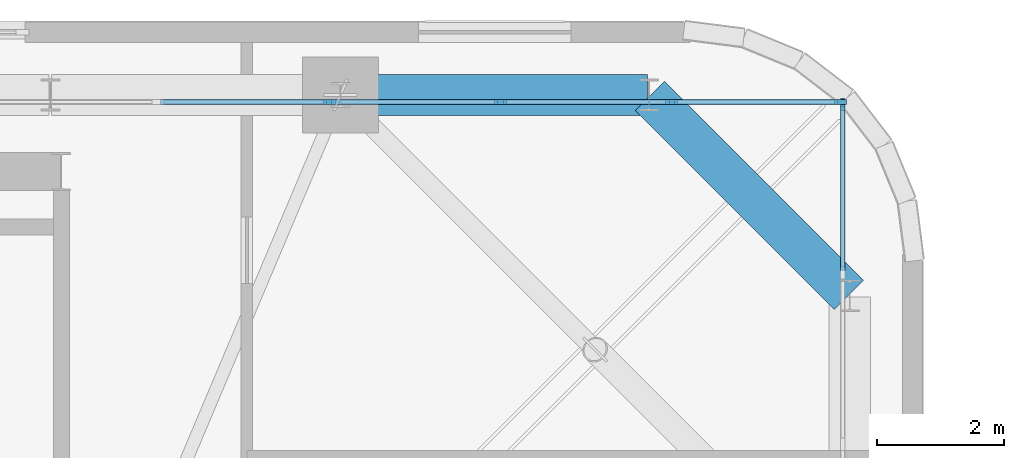
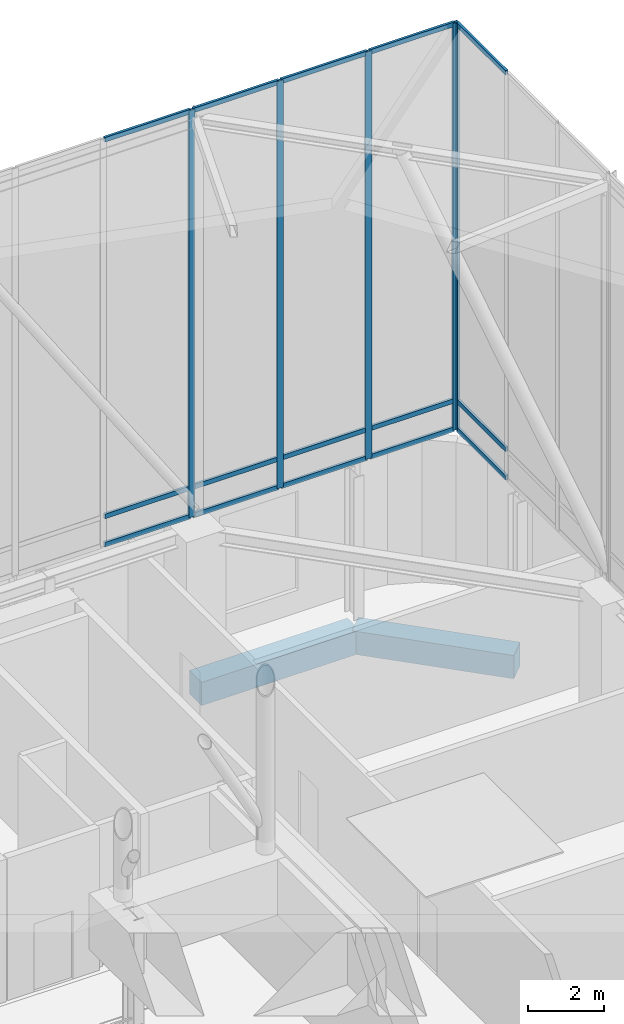
# One storey, part 8 of 15: 20 members, 2 beams, 2 elements without a shape of their own.
"""IFC4 building model written with IfcOpenShell, lengths in metres."""

from ifc_helpers import new_model, si_unit, direction, frame, origin, origin_2d, place, context, subcontext, project, spatial, rectangle, extrude, source, transform, mapped, material, material_profile, profile_set, type_object, element, aggregate, save


model = new_model("IFC4")

# Units and contexts
model_context = context("Model", 3, precision=1e-05, world=origin(), true_north=direction((0.0, 1.0)))
body_context = subcontext(model_context, "Body", "Model", "MODEL_VIEW")
ifc_project = project(units=[si_unit("LENGTHUNIT", "METRE"), si_unit("AREAUNIT", "SQUARE_METRE"), si_unit("VOLUMEUNIT", "CUBIC_METRE"), si_unit("PLANEANGLEUNIT", "RADIAN"), si_unit("MASSUNIT", "GRAM", prefix="KILO")], contexts=[model_context])

# Site, building, storey
site_placement = place(None, origin())
site = spatial("IfcSite", under=ifc_project, at=site_placement, CompositionType="ELEMENT")
building_placement = place(site_placement, origin())
building = spatial("IfcBuilding", under=site, at=building_placement, Name="Vardaveli Station Tower", CompositionType="ELEMENT")
storey_placement = place(building_placement, frame((0.0, 0.0, 301.14990234375)))
storey = spatial("IfcBuildingStorey", under=building, at=storey_placement, Name="L76", CompositionType="ELEMENT", Elevation=301.14990234375)

# Beams
ifc_material_1 = material(Name="Precast concrete C45/55", Category="concrete")
ifc_material_profile_1 = material_profile(ifc_material_1, rectangle(XDim=0.64990234375, YDim=0.75, at=origin_2d()), Name="LPB 650x750")
ifc_profile_set_1 = profile_set([ifc_material_profile_1], Name="Precast concrete C45/55")
beam_type = type_object("IfcBeamType", Name="BM-LPB-750", PredefinedType="BEAM", material=ifc_profile_set_1)
shared_shape_1 = source(origin(), body_context, "Body", "SweptSolid", [
    extrude(rectangle(XDim=0.64990234375, YDim=0.75, at=origin_2d()), origin(), (0.0, 0.0, 1.0), 4.8271484375),
])
beam_1_placement = place(storey_placement, frame((56.623046875, 41.510009765625, -0.6748046875), z_axis=(-1.0, 0.0, 0.0), x_axis=(0.0, -1.0, 0.0)))
element("IfcBeam", 1, at=beam_1_placement, inside=storey, type_object=beam_type, Name="RBM-L76-12", PredefinedType="BEAM", context=body_context, shape_type="MappedRepresentation", body=[
    mapped(shared_shape_1, transform((0.0, 0.0, 0.0), scale=1.0)),
])
shared_shape_2 = source(origin(), body_context, "Body", "SweptSolid", [
    extrude(rectangle(XDim=0.64990234375, YDim=0.75, at=origin_2d()), origin(), (0.0, 0.0, 1.0), 4.438720703125),
])
beam_2_placement = place(storey_placement, frame((59.7958984375, 38.357177734375, -0.6748046875), z_axis=(-0.707106781187, 0.707106781187, 0.0), x_axis=(-0.707106781187, -0.707106781187, 0.0)))
element("IfcBeam", 2, at=beam_2_placement, inside=storey, type_object=beam_type, Name="RBM-L76-11", PredefinedType="BEAM", context=body_context, shape_type="MappedRepresentation", body=[
    mapped(shared_shape_2, transform((0.0, 0.0, 0.0), scale=1.0)),
])

# Curtain wall, member
ifc_material_2 = material(Name="Travertine stone and solar-control glass", Category="masonry")
curtain_wall_type = type_object("IfcCurtainWallType", Name="CW-SYS-6", PredefinedType="NOTDEFINED", material=ifc_material_2)
curtain_wall_1_placement = place(storey_placement, origin())
curtain_wall_1 = element("IfcCurtainWall", 3, at=curtain_wall_1_placement, inside=storey, type_object=curtain_wall_type, Name="CW-L76-CRN-E2", PredefinedType="NOTDEFINED")
ifc_material_3 = material(Name="Anodised aluminium alloy 6063-T6", Category="aluminium")
ifc_material_profile_2 = material_profile(ifc_material_3, rectangle(XDim=0.074951171875, YDim=0.18994140625, at=origin_2d()), Name="CWM 75x190")
ifc_profile_set_2 = profile_set([ifc_material_profile_2], Name="Anodised aluminium alloy 6063-T6")
member_type_1 = type_object("IfcMemberType", Name="CW-SYS-6-MULL", PredefinedType="MULLION", material=ifc_profile_set_2)
shared_shape_3 = source(origin(), body_context, "Body", "SweptSolid", [
    extrude(rectangle(XDim=0.074951171875, YDim=0.18994140625, at=origin_2d()), origin(), (0.0, 0.0, 1.0), 13.150146484375),
])
member_1_placement = place(storey_placement, frame((59.699951171875, 41.362548828125, 5.0), z_axis=(0.0, 0.0, 1.0), x_axis=(-1.0, 0.0, 0.0)))
member_1 = element("IfcMember", 4, at=member_1_placement, type_object=member_type_1, Name="CW-6 mullion 7", PredefinedType="MULLION", context=body_context, shape_type="MappedRepresentation", body=[
    mapped(shared_shape_3, transform((0.0, 0.0, 0.0), scale=1.0)),
])

# Curtain wall, members
curtain_wall_2_placement = place(storey_placement, origin())
curtain_wall_2 = element("IfcCurtainWall", 5, at=curtain_wall_2_placement, inside=storey, type_object=curtain_wall_type, Name="CW-L76-CRN-N1", PredefinedType="NOTDEFINED")
member_2_placement = place(storey_placement, frame((59.66259765625, 41.39990234375, 5.0), z_axis=(0.0, 0.0, 1.0), x_axis=(0.0, -1.0, 0.0)))
member_2 = element("IfcMember", 6, at=member_2_placement, type_object=member_type_1, Name="CW-6 mullion 1", PredefinedType="MULLION", context=body_context, shape_type="MappedRepresentation", body=[
    mapped(shared_shape_3, transform((0.0, 0.0, 0.0), scale=1.0)),
])
member_3_placement = place(storey_placement, frame((57.0, 41.39990234375, 5.0), z_axis=(0.0, 0.0, 1.0), x_axis=(0.0, -1.0, 0.0)))
member_3 = element("IfcMember", 7, at=member_3_placement, type_object=member_type_1, Name="CW-6 mullion 2", PredefinedType="MULLION", context=body_context, shape_type="MappedRepresentation", body=[
    mapped(shared_shape_3, transform((0.0, 0.0, 0.0), scale=1.0)),
])
member_4_placement = place(storey_placement, frame((54.300048828125, 41.39990234375, 5.0), z_axis=(0.0, 0.0, 1.0), x_axis=(0.0, -1.0, 0.0)))
member_4 = element("IfcMember", 8, at=member_4_placement, type_object=member_type_1, Name="CW-6 mullion 3", PredefinedType="MULLION", context=body_context, shape_type="MappedRepresentation", body=[
    mapped(shared_shape_3, transform((0.0, 0.0, 0.0), scale=1.0)),
])
member_5_placement = place(storey_placement, frame((51.60009765625, 41.39990234375, 5.0), z_axis=(0.0, 0.0, 1.0), x_axis=(0.0, -1.0, 0.0)))
member_5 = element("IfcMember", 9, at=member_5_placement, type_object=member_type_1, Name="CW-6 mullion 4", PredefinedType="MULLION", context=body_context, shape_type="MappedRepresentation", body=[
    mapped(shared_shape_3, transform((0.0, 0.0, 0.0), scale=1.0)),
])

# Member
ifc_material_profile_3 = material_profile(ifc_material_3, rectangle(XDim=0.074951171875, YDim=0.14990234375, at=origin_2d()), Name="CWT 75x150")
ifc_profile_set_3 = profile_set([ifc_material_profile_3], Name="Anodised aluminium alloy 6063-T6")
member_type_2 = type_object("IfcMemberType", Name="CW-SYS-6-TRAN", PredefinedType="NOTDEFINED", material=ifc_profile_set_3)
shared_shape_4 = source(origin(), body_context, "Body", "SweptSolid", [
    extrude(rectangle(XDim=0.074951171875, YDim=0.14990234375, at=origin_2d()), origin(), (0.0, 0.0, 1.0), 2.58740234375),
])
member_6_placement = place(storey_placement, frame((59.699951171875, 38.737548828125, 5.03759765625), z_axis=(0.0, 1.0, 0.0), x_axis=(-1.0, 0.0, 0.0)))
member_6 = element("IfcMember", 10, at=member_6_placement, type_object=member_type_2, Name="CW-6 transom 6.1", ObjectType="TRANSOM", PredefinedType="USERDEFINED", context=body_context, shape_type="MappedRepresentation", body=[
    mapped(shared_shape_4, transform((0.0, 0.0, 0.0), scale=1.0)),
])

member_7_placement = place(storey_placement, frame((59.699951171875, 38.737548828125, 5.9501953125), z_axis=(0.0, 1.0, 0.0), x_axis=(-1.0, 0.0, 0.0)))
member_7 = element("IfcMember", 11, at=member_7_placement, type_object=member_type_2, Name="CW-6 transom 6.2", ObjectType="TRANSOM", PredefinedType="USERDEFINED", context=body_context, shape_type="MappedRepresentation", body=[
    mapped(shared_shape_4, transform((0.0, 0.0, 0.0), scale=1.0)),
])

member_8_placement = place(storey_placement, frame((59.699951171875, 38.737548828125, 18.112548828125), z_axis=(0.0, 1.0, 0.0), x_axis=(-1.0, 0.0, 0.0)))
member_8 = element("IfcMember", 12, at=member_8_placement, type_object=member_type_2, Name="CW-6 transom 6.3", ObjectType="TRANSOM", PredefinedType="USERDEFINED", context=body_context, shape_type="MappedRepresentation", body=[
    mapped(shared_shape_4, transform((0.0, 0.0, 0.0), scale=1.0)),
])

aggregate(curtain_wall_1, [member_1, member_6, member_7, member_8])

member_9_placement = place(storey_placement, frame((59.625, 41.39990234375, 5.03759765625), z_axis=(-1.0, 0.0, 0.0), x_axis=(0.0, -1.0, 0.0)))
member_9 = element("IfcMember", 13, at=member_9_placement, type_object=member_type_2, Name="CW-6 transom 1.1", ObjectType="TRANSOM", PredefinedType="USERDEFINED", context=body_context, shape_type="MappedRepresentation", body=[
    mapped(shared_shape_4, transform((0.0, 0.0, 0.0), scale=1.0)),
])

member_10_placement = place(storey_placement, frame((59.625, 41.39990234375, 5.9501953125), z_axis=(-1.0, 0.0, 0.0), x_axis=(0.0, -1.0, 0.0)))
member_10 = element("IfcMember", 14, at=member_10_placement, type_object=member_type_2, Name="CW-6 transom 1.2", ObjectType="TRANSOM", PredefinedType="USERDEFINED", context=body_context, shape_type="MappedRepresentation", body=[
    mapped(shared_shape_4, transform((0.0, 0.0, 0.0), scale=1.0)),
])

member_11_placement = place(storey_placement, frame((59.625, 41.39990234375, 18.112548828125), z_axis=(-1.0, 0.0, 0.0), x_axis=(0.0, -1.0, 0.0)))
member_11 = element("IfcMember", 15, at=member_11_placement, type_object=member_type_2, Name="CW-6 transom 1.3", ObjectType="TRANSOM", PredefinedType="USERDEFINED", context=body_context, shape_type="MappedRepresentation", body=[
    mapped(shared_shape_4, transform((0.0, 0.0, 0.0), scale=1.0)),
])

shared_shape_5 = source(origin(), body_context, "Body", "SweptSolid", [
    extrude(rectangle(XDim=0.074951171875, YDim=0.14990234375, at=origin_2d()), origin(), (0.0, 0.0, 1.0), 2.625),
])
member_12_placement = place(storey_placement, frame((56.96240234375, 41.39990234375, 5.03759765625), z_axis=(-1.0, 0.0, 0.0), x_axis=(0.0, -1.0, 0.0)))
member_12 = element("IfcMember", 16, at=member_12_placement, type_object=member_type_2, Name="CW-6 transom 2.1", ObjectType="TRANSOM", PredefinedType="USERDEFINED", context=body_context, shape_type="MappedRepresentation", body=[
    mapped(shared_shape_5, transform((0.0, 0.0, 0.0), scale=1.0)),
])

member_13_placement = place(storey_placement, frame((56.96240234375, 41.39990234375, 5.9501953125), z_axis=(-1.0, 0.0, 0.0), x_axis=(0.0, -1.0, 0.0)))
member_13 = element("IfcMember", 17, at=member_13_placement, type_object=member_type_2, Name="CW-6 transom 2.2", ObjectType="TRANSOM", PredefinedType="USERDEFINED", context=body_context, shape_type="MappedRepresentation", body=[
    mapped(shared_shape_5, transform((0.0, 0.0, 0.0), scale=1.0)),
])

member_14_placement = place(storey_placement, frame((56.96240234375, 41.39990234375, 18.112548828125), z_axis=(-1.0, 0.0, 0.0), x_axis=(0.0, -1.0, 0.0)))
member_14 = element("IfcMember", 18, at=member_14_placement, type_object=member_type_2, Name="CW-6 transom 2.3", ObjectType="TRANSOM", PredefinedType="USERDEFINED", context=body_context, shape_type="MappedRepresentation", body=[
    mapped(shared_shape_5, transform((0.0, 0.0, 0.0), scale=1.0)),
])

member_15_placement = place(storey_placement, frame((54.262451171875, 41.39990234375, 5.03759765625), z_axis=(-1.0, 0.0, 0.0), x_axis=(0.0, -1.0, 0.0)))
member_15 = element("IfcMember", 19, at=member_15_placement, type_object=member_type_2, Name="CW-6 transom 3.1", ObjectType="TRANSOM", PredefinedType="USERDEFINED", context=body_context, shape_type="MappedRepresentation", body=[
    mapped(shared_shape_5, transform((0.0, 0.0, 0.0), scale=1.0)),
])

member_16_placement = place(storey_placement, frame((54.262451171875, 41.39990234375, 5.9501953125), z_axis=(-1.0, 0.0, 0.0), x_axis=(0.0, -1.0, 0.0)))
member_16 = element("IfcMember", 20, at=member_16_placement, type_object=member_type_2, Name="CW-6 transom 3.2", ObjectType="TRANSOM", PredefinedType="USERDEFINED", context=body_context, shape_type="MappedRepresentation", body=[
    mapped(shared_shape_5, transform((0.0, 0.0, 0.0), scale=1.0)),
])

member_17_placement = place(storey_placement, frame((54.262451171875, 41.39990234375, 18.112548828125), z_axis=(-1.0, 0.0, 0.0), x_axis=(0.0, -1.0, 0.0)))
member_17 = element("IfcMember", 21, at=member_17_placement, type_object=member_type_2, Name="CW-6 transom 3.3", ObjectType="TRANSOM", PredefinedType="USERDEFINED", context=body_context, shape_type="MappedRepresentation", body=[
    mapped(shared_shape_5, transform((0.0, 0.0, 0.0), scale=1.0)),
])

member_18_placement = place(storey_placement, frame((51.5625, 41.39990234375, 5.03759765625), z_axis=(-1.0, 0.0, 0.0), x_axis=(0.0, -1.0, 0.0)))
member_18 = element("IfcMember", 22, at=member_18_placement, type_object=member_type_2, Name="CW-6 transom 4.1", ObjectType="TRANSOM", PredefinedType="USERDEFINED", context=body_context, shape_type="MappedRepresentation", body=[
    mapped(shared_shape_5, transform((0.0, 0.0, 0.0), scale=1.0)),
])

member_19_placement = place(storey_placement, frame((51.5625, 41.39990234375, 5.9501953125), z_axis=(-1.0, 0.0, 0.0), x_axis=(0.0, -1.0, 0.0)))
member_19 = element("IfcMember", 23, at=member_19_placement, type_object=member_type_2, Name="CW-6 transom 4.2", ObjectType="TRANSOM", PredefinedType="USERDEFINED", context=body_context, shape_type="MappedRepresentation", body=[
    mapped(shared_shape_5, transform((0.0, 0.0, 0.0), scale=1.0)),
])

member_20_placement = place(storey_placement, frame((51.5625, 41.39990234375, 18.112548828125), z_axis=(-1.0, 0.0, 0.0), x_axis=(0.0, -1.0, 0.0)))
member_20 = element("IfcMember", 24, at=member_20_placement, type_object=member_type_2, Name="CW-6 transom 4.3", ObjectType="TRANSOM", PredefinedType="USERDEFINED", context=body_context, shape_type="MappedRepresentation", body=[
    mapped(shared_shape_5, transform((0.0, 0.0, 0.0), scale=1.0)),
])

aggregate(curtain_wall_2, [member_2, member_3, member_4, member_5, member_9, member_10, member_11, member_12, member_13, member_14, member_15, member_16, member_17, member_18, member_19, member_20])

save(model, "model.ifc")
